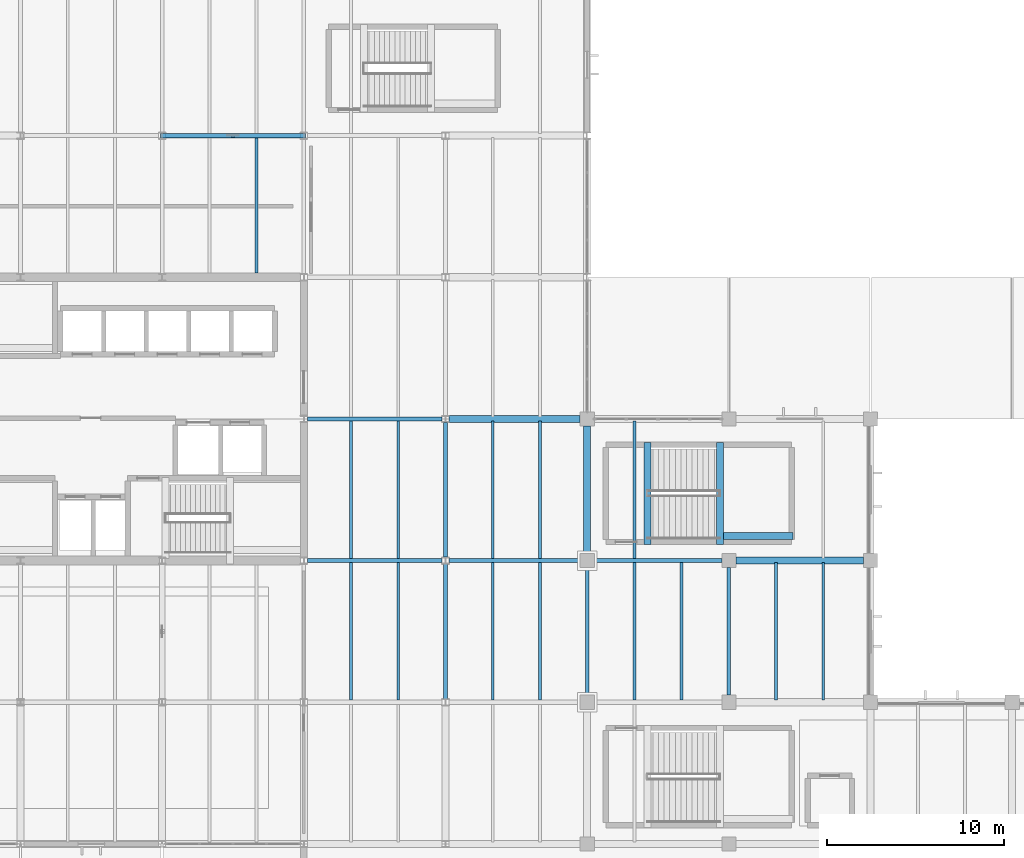
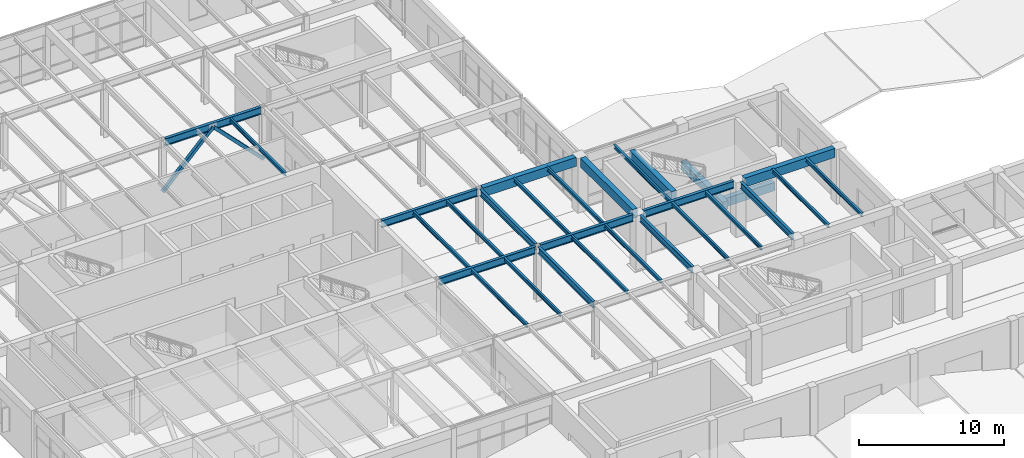
# One storey, part 16 of 60: 29 beams, 2 members.
"""IFC4 building model written with IfcOpenShell, lengths in metres."""

from ifc_helpers import new_model, si_unit, direction, frame, origin, origin_2d, place, context, subcontext, project, spatial, rectangle, hollow_rectangle, i_section, extrude, material, material_profile, profile_set, type_object, element, save


model = new_model("IFC4")

# Units and contexts
model_context = context("Model", 3, precision=1e-05, world=origin(), true_north=direction((0.0, 1.0)))
body_context = subcontext(model_context, "Body", "Model", "MODEL_VIEW")
ifc_project = project(units=[si_unit("LENGTHUNIT", "METRE"), si_unit("AREAUNIT", "SQUARE_METRE"), si_unit("VOLUMEUNIT", "CUBIC_METRE"), si_unit("PLANEANGLEUNIT", "RADIAN"), si_unit("MASSUNIT", "GRAM", prefix="KILO")], contexts=[model_context])

# Site, building, storey
site_placement = place(None, origin())
site = spatial("IfcSite", under=ifc_project, at=site_placement, CompositionType="ELEMENT")
building_placement = place(site_placement, origin())
building = spatial("IfcBuilding", under=site, at=building_placement, Name="Varnela Railside Interchange", CompositionType="ELEMENT")
storey_placement = place(building_placement, frame((0.0, 0.0, 6.300048828125)))
storey = spatial("IfcBuildingStorey", under=building, at=storey_placement, Name="L01", CompositionType="ELEMENT", Elevation=6.300048828125)

# Beams
ifc_material_1 = material(Name="Steel AR 350 (350 MPa)", Category="steel")
ifc_material_profile_1 = material_profile(ifc_material_1, i_section(OverallWidth=0.1650390625, OverallDepth=0.31005859375, WebThickness=0.005859375, FlangeThickness=0.009765625, at=origin_2d()), Name="W310x38.7")
ifc_profile_set_1 = profile_set([ifc_material_profile_1], Name="Steel AR 350 (350 MPa)")
beam_type_1 = type_object("IfcBeamType", Name="Composite Floor Joist J-04", PredefinedType="JOIST", material=ifc_profile_set_1)
beam_1_placement = place(storey_placement, frame((33.330078125, 70.239990234375, 4.445068359375), z_axis=(0.0, 1.0, 0.0), x_axis=(-1.0, 0.0, 0.0)))
element("IfcBeam", 1, at=beam_1_placement, inside=storey, type_object=beam_type_1, Name="Composite Floor Joist J-04 (L01) (BM-1563)", PredefinedType="JOIST", context=body_context, shape_type="SweptSolid", body=[
    extrude(i_section(OverallWidth=0.1650390625, OverallDepth=0.31005859375, WebThickness=0.005859375, FlangeThickness=0.009765625, at=origin_2d()), origin(), (0.0, 0.0, 1.0), 7.6455078125),
])
for number, where, z_axis, x_axis, name in (
    (2, (38.669921875, 46.114501953125, 4.445068359375), (0.0, 1.0, 0.0), (-1.0, 0.0, 0.0), "Composite Floor Joist J-04 (L01) (BM-1570)"),
    (3, (41.330078125, 46.114501953125, 4.445068359375), (0.0, 1.0, 0.0), (-1.0, 0.0, 0.0), "Composite Floor Joist J-04 (L01) (BM-1571)"),
    (4, (38.669921875, 54.114501953125, 4.445068359375), (0.0, 1.0, 0.0), (-1.0, 0.0, 0.0), "Composite Floor Joist J-04 (L01) (BM-1572)"),
    (5, (41.330078125, 54.114501953125, 4.445068359375), (0.0, 1.0, 0.0), (-1.0, 0.0, 0.0), "Composite Floor Joist J-04 (L01) (BM-1573)"),
    (6, (46.669921875, 46.114501953125, 4.445068359375), (0.0, 1.0, 0.0), (-1.0, 0.0, 0.0), "Composite Floor Joist J-04 (L01) (BM-1583)"),
    (7, (49.330078125, 46.114501953125, 4.445068359375), (0.0, 1.0, 0.0), (-1.0, 0.0, 0.0), "Composite Floor Joist J-04 (L01) (BM-1584)"),
    (8, (46.669921875, 54.114501953125, 4.445068359375), (0.0, 1.0, 0.0), (-1.0, 0.0, 0.0), "Composite Floor Joist J-04 (L01) (BM-1585)"),
    (9, (49.330078125, 54.114501953125, 4.445068359375), (0.0, 1.0, 0.0), (-1.0, 0.0, 0.0), "Composite Floor Joist J-04 (L01) (BM-1586)"),
    (10, (54.669921875, 46.114501953125, 4.445068359375), (0.0, 1.0, 0.0), (-1.0, 0.0, 0.0), "Composite Floor Joist J-04 (L01) (BM-1593)"),
    (11, (57.330078125, 46.114501953125, 4.445068359375), (0.0, 1.0, 0.0), (-1.0, 0.0, 0.0), "Composite Floor Joist J-04 (L01) (BM-1594)"),
    (12, (54.669921875, 54.114501953125, 4.445068359375), (0.0, 1.0, 0.0), (-1.0, 0.0, 0.0), "Composite Floor Joist J-04 (L01) (BM-1595)"),
    (13, (62.669921875, 46.114501953125, 4.445068359375), (0.0, 1.0, 0.0), (-1.0, 0.0, 0.0), "Composite Floor Joist J-04 (L01) (BM-1596)"),
    (14, (65.330078125, 46.114501953125, 4.445068359375), (0.0, 1.0, 0.0), (-1.0, 0.0, 0.0), "Composite Floor Joist J-04 (L01) (BM-1597)"),
):
    element("IfcBeam", number, at=place(storey_placement, frame(where, z_axis=z_axis, x_axis=x_axis)), inside=storey, type_object=beam_type_1, Name=name, PredefinedType="JOIST", context=body_context, shape_type="SweptSolid", body=[
        extrude(i_section(OverallWidth=0.1650390625, OverallDepth=0.31005859375, WebThickness=0.005859375, FlangeThickness=0.009765625, at=origin_2d()), origin(), (0.0, 0.0, 1.0), 7.77099609375),
    ])
ifc_material_profile_2 = material_profile(ifc_material_1, i_section(OverallWidth=0.2119140625, OverallDepth=0.5439453125, WebThickness=0.01318359375, FlangeThickness=0.021240234375, at=origin_2d()), Name="W530x123")
ifc_profile_set_2 = profile_set([ifc_material_profile_2], Name="Steel AR 350 (350 MPa)")
beam_type_2 = type_object("IfcBeamType", Name="Composite Heavy Girder B-16", PredefinedType="BEAM", material=ifc_profile_set_2)
for number, where, z_axis, x_axis, name in (
    (15, (44.0, 46.193603515625, 4.327880859375), (0.0, 1.0, 0.0), (-1.0, 0.0, 0.0), "Composite Heavy Girder B-16 (L01) (BM-1771)"),
    (16, (44.0, 54.193603515625, 4.327880859375), (0.0, 1.0, 0.0), (-1.0, 0.0, 0.0), "Composite Heavy Girder B-16 (L01) (BM-1772)"),
):
    element("IfcBeam", number, at=place(storey_placement, frame(where, z_axis=z_axis, x_axis=x_axis)), inside=storey, type_object=beam_type_2, Name=name, PredefinedType="BEAM", context=body_context, shape_type="SweptSolid", body=[
        extrude(i_section(OverallWidth=0.2119140625, OverallDepth=0.5439453125, WebThickness=0.01318359375, FlangeThickness=0.021240234375, at=origin_2d()), origin(), (0.0, 0.0, 1.0), 7.61279296875),
    ])
for number, where, z_axis, x_axis, name in (
    (17, (52.0, 46.39990234375, 4.327880859375), (0.0, 1.0, 0.0), (-1.0, 0.0, 0.0), "Composite Heavy Girder B-16 (L01) (BM-1777)"),
    (18, (60.0, 46.39990234375, 4.327880859375), (0.0, 1.0, 0.0), (-1.0, 0.0, 0.0), "Composite Heavy Girder B-16 (L01) (BM-1783)"),
):
    element("IfcBeam", number, at=place(storey_placement, frame(where, z_axis=z_axis, x_axis=x_axis)), inside=storey, type_object=beam_type_2, Name=name, PredefinedType="BEAM", context=body_context, shape_type="SweptSolid", body=[
        extrude(i_section(OverallWidth=0.2119140625, OverallDepth=0.5439453125, WebThickness=0.01318359375, FlangeThickness=0.021240234375, at=origin_2d()), origin(), (0.0, 0.0, 1.0), 7.2001953125),
    ])
ifc_material_2 = material(Name="Concrete C40", Category="concrete")
ifc_material_profile_3 = material_profile(ifc_material_2, rectangle(XDim=0.39990234375, YDim=0.699951171875, at=origin_2d()), Name="RC 400x700")
ifc_profile_set_3 = profile_set([ifc_material_profile_3], Name="Concrete C40")
beam_type_3 = type_object("IfcBeamType", Name="Concrete Tie Beam B-01", PredefinedType="BEAM", material=ifc_profile_set_3)
for number, where, z_axis, x_axis, name in (
    (19, (55.39990234375, 54.919921875, 4.25), (0.0, 1.0, 0.0), (-1.0, 0.0, 0.0), "Concrete Tie Beam B-01 (L01) (BM-1816)"),
    (20, (59.4951171875, 54.919921875, 1.93994140625), (0.0, 1.0, 0.0), (-1.0, 0.0, 0.0), "Concrete Tie Beam B-01 (L01) (BM-1805)"),
):
    element("IfcBeam", number, at=place(storey_placement, frame(where, z_axis=z_axis, x_axis=x_axis)), inside=storey, type_object=beam_type_3, Name=name, PredefinedType="BEAM", context=body_context, shape_type="SweptSolid", body=[
        extrude(rectangle(XDim=0.39990234375, YDim=0.699951171875, at=origin_2d()), origin(), (0.0, 0.0, 1.0), 5.760009765625),
    ])
beam_2_placement = place(storey_placement, frame((59.695068359375, 55.39990234375, 1.93994140625), z_axis=(1.0, 0.0, 0.0), x_axis=(0.0, 1.0, 0.0)))
element("IfcBeam", 21, at=beam_2_placement, inside=storey, type_object=beam_type_3, Name="Concrete Tie Beam B-01 (L01) (BM-1794)", PredefinedType="BEAM", context=body_context, shape_type="SweptSolid", body=[
    extrude(rectangle(XDim=0.39990234375, YDim=0.699951171875, at=origin_2d()), origin(), (0.0, 0.0, 1.0), 3.925048828125),
])

# Members
ifc_material_profile_4 = material_profile(ifc_material_1, hollow_rectangle(XDim=0.25, YDim=0.25, WallThickness=0.01611328125, at=origin_2d()), Name="HSS 250x250x16")
ifc_profile_set_4 = profile_set([ifc_material_profile_4], Name="Steel AR 350 (350 MPa)")
member_type = type_object("IfcMemberType", Name="Lateral Chevron Brace BR-03", PredefinedType="BRACE", material=ifc_profile_set_4)
for number, where, z_axis, x_axis, name in (
    (22, (28.0, 78.0, 0.14990234375), (0.698315330267, 0.0, 0.715790262238), (0.0, 1.0, 0.0), "Lateral Chevron Brace BR-03 (L01) (MB-0069)"),
    (23, (36.0, 78.0, 0.14990234375), (-0.698315330267, 0.0, 0.715790262238), (0.0, -1.0, 0.0), "Lateral Chevron Brace BR-03 (L01) (MB-0070)"),
):
    element("IfcMember", number, at=place(storey_placement, frame(where, z_axis=z_axis, x_axis=x_axis)), inside=storey, type_object=member_type, Name=name, PredefinedType="BRACE", context=body_context, shape_type="SweptSolid", body=[
        extrude(hollow_rectangle(XDim=0.25, YDim=0.25, WallThickness=0.01611328125, at=origin_2d()), origin(), (0.0, 0.0, 1.0), 5.72802734375),
    ])

# Beams
ifc_material_profile_5 = material_profile(ifc_material_1, i_section(OverallWidth=0.22900390625, OverallDepth=0.612060546875, WebThickness=0.011962890625, FlangeThickness=0.01953125, at=origin_2d()), Name="W610x125")
ifc_profile_set_5 = profile_set([ifc_material_profile_5], Name="Steel AR 350 (350 MPa)")
beam_type_4 = type_object("IfcBeamType", Name="Podium Composite Girder B-15", PredefinedType="BEAM", material=ifc_profile_set_5)
beam_3_placement = place(storey_placement, frame((36.200439453125, 54.0, 4.2939453125), z_axis=(1.0, 0.0, 0.0), x_axis=(0.0, 1.0, 0.0)))
element("IfcBeam", 24, at=beam_3_placement, inside=storey, type_object=beam_type_4, Name="Podium Composite Girder B-15 (L01) (BM-1651)", PredefinedType="BEAM", context=body_context, shape_type="SweptSolid", body=[
    extrude(i_section(OverallWidth=0.22900390625, OverallDepth=0.612060546875, WebThickness=0.011962890625, FlangeThickness=0.01953125, at=origin_2d()), origin(), (0.0, 0.0, 1.0), 7.6005859375),
])
beam_4_placement = place(storey_placement, frame((44.198974609375, 54.0, 4.2939453125), z_axis=(1.0, 0.0, 0.0), x_axis=(0.0, 1.0, 0.0)))
element("IfcBeam", 25, at=beam_4_placement, inside=storey, type_object=beam_type_4, Name="Podium Composite Girder B-15 (L01) (BM-1652)", PredefinedType="BEAM", context=body_context, shape_type="SweptSolid", body=[
    extrude(i_section(OverallWidth=0.22900390625, OverallDepth=0.612060546875, WebThickness=0.011962890625, FlangeThickness=0.01953125, at=origin_2d()), origin(), (0.0, 0.0, 1.0), 7.401123046875),
])
beam_5_placement = place(storey_placement, frame((52.39990234375, 54.0, 4.2939453125), z_axis=(1.0, 0.0, 0.0), x_axis=(0.0, 1.0, 0.0)))
element("IfcBeam", 26, at=beam_5_placement, inside=storey, type_object=beam_type_4, Name="Podium Composite Girder B-15 (L01) (BM-1654)", PredefinedType="BEAM", context=body_context, shape_type="SweptSolid", body=[
    extrude(i_section(OverallWidth=0.22900390625, OverallDepth=0.612060546875, WebThickness=0.011962890625, FlangeThickness=0.01953125, at=origin_2d()), origin(), (0.0, 0.0, 1.0), 7.2001953125),
])
beam_6_placement = place(storey_placement, frame((36.200439453125, 62.0, 4.2939453125), z_axis=(1.0, 0.0, 0.0), x_axis=(0.0, 1.0, 0.0)))
element("IfcBeam", 27, at=beam_6_placement, inside=storey, type_object=beam_type_4, Name="Podium Composite Girder B-15 (L01) (BM-1664)", PredefinedType="BEAM", context=body_context, shape_type="SweptSolid", body=[
    extrude(i_section(OverallWidth=0.22900390625, OverallDepth=0.612060546875, WebThickness=0.011962890625, FlangeThickness=0.01953125, at=origin_2d()), origin(), (0.0, 0.0, 1.0), 7.6005859375),
])
beam_7_placement = place(storey_placement, frame((28.198974609375, 78.0, 4.2939453125), z_axis=(1.0, 0.0, 0.0), x_axis=(0.0, 1.0, 0.0)))
element("IfcBeam", 28, at=beam_7_placement, inside=storey, type_object=beam_type_4, Name="Podium Composite Girder B-15 (L01) (BM-1680)", PredefinedType="BEAM", context=body_context, shape_type="SweptSolid", body=[
    extrude(i_section(OverallWidth=0.22900390625, OverallDepth=0.612060546875, WebThickness=0.011962890625, FlangeThickness=0.01953125, at=origin_2d()), origin(), (0.0, 0.0, 1.0), 7.60205078125),
])
ifc_material_3 = material(Name="Concrete C40 precast", Category="concrete")
ifc_material_profile_6 = material_profile(ifc_material_3, rectangle(XDim=0.39990234375, YDim=0.75, at=origin_2d()), Name="PC 400x750")
ifc_profile_set_6 = profile_set([ifc_material_profile_6], Name="Concrete C40 precast")
beam_type_5 = type_object("IfcBeamType", Name="Precast Facade Spandrel SP-03", PredefinedType="SPANDREL", material=ifc_profile_set_6)
beam_8_placement = place(storey_placement, frame((60.39990234375, 54.0, 4.224853515625), z_axis=(1.0, 0.0, 0.0), x_axis=(0.0, 1.0, 0.0)))
element("IfcBeam", 29, at=beam_8_placement, inside=storey, type_object=beam_type_5, Name="Precast Facade Spandrel SP-03 (L01) (BM-1655)", PredefinedType="SPANDREL", context=body_context, shape_type="SweptSolid", body=[
    extrude(rectangle(XDim=0.39990234375, YDim=0.75, at=origin_2d()), origin(), (0.0, 0.0, 1.0), 7.2001953125),
])
beam_9_placement = place(storey_placement, frame((44.198974609375, 62.0, 4.224853515625), z_axis=(1.0, 0.0, 0.0), x_axis=(0.0, 1.0, 0.0)))
element("IfcBeam", 30, at=beam_9_placement, inside=storey, type_object=beam_type_5, Name="Precast Facade Spandrel SP-03 (L01) (BM-1665)", PredefinedType="SPANDREL", context=body_context, shape_type="SweptSolid", body=[
    extrude(rectangle(XDim=0.39990234375, YDim=0.75, at=origin_2d()), origin(), (0.0, 0.0, 1.0), 7.401123046875),
])
beam_10_placement = place(storey_placement, frame((52.0, 54.39990234375, 4.224853515625), z_axis=(0.0, 1.0, 0.0), x_axis=(-1.0, 0.0, 0.0)))
element("IfcBeam", 31, at=beam_10_placement, inside=storey, type_object=beam_type_5, Name="Precast Facade Spandrel SP-03 (L01) (BM-1778)", PredefinedType="SPANDREL", context=body_context, shape_type="SweptSolid", body=[
    extrude(rectangle(XDim=0.39990234375, YDim=0.75, at=origin_2d()), origin(), (0.0, 0.0, 1.0), 7.2001953125),
])

save(model, "model.ifc")
